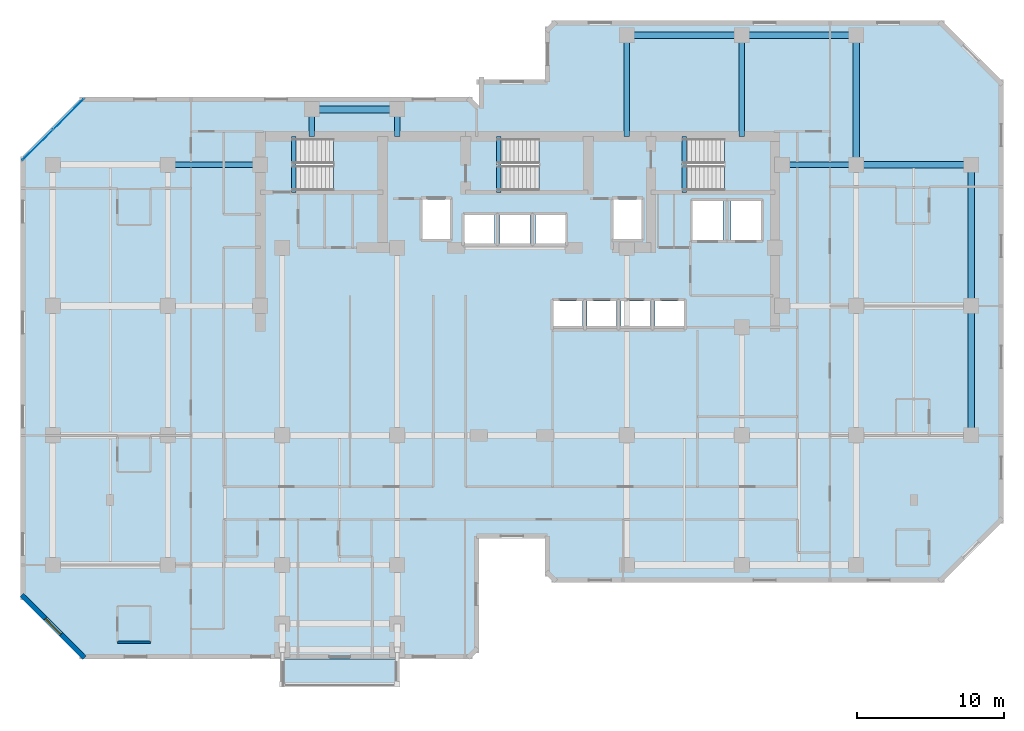
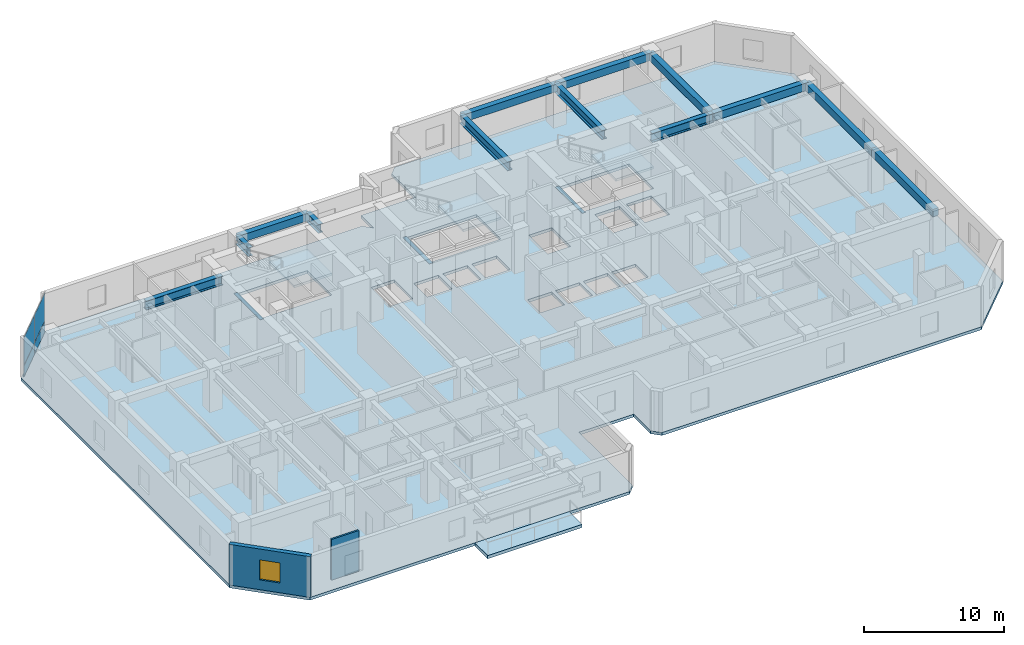
# One storey, part 4 of 11: 16 beams, 5 slabs, 4 plates, 2 walls, 1 window, 1 opening, 4 elements without a shape of their own.
"""IFC4 building model written with IfcOpenShell, lengths in metres."""

from ifc_helpers import new_model, si_unit, direction, frame, frame_2d, origin, origin_2d, place, context, subcontext, project, spatial, polyline, rectangle, i_section, outline, extrude, material, layer, layer_set, material_profile, profile_set, type_object, element, fill, aggregate, save


model = new_model("IFC4")

# Units and contexts
model_context = context("Model", 3, precision=1e-05, world=origin(), true_north=direction((0.0, 1.0)))
body_context = subcontext(model_context, "Body", "Model", "MODEL_VIEW")
ifc_project = project(units=[si_unit("LENGTHUNIT", "METRE"), si_unit("AREAUNIT", "SQUARE_METRE"), si_unit("VOLUMEUNIT", "CUBIC_METRE"), si_unit("PLANEANGLEUNIT", "RADIAN"), si_unit("MASSUNIT", "GRAM", prefix="KILO")], contexts=[model_context])

# Site, building, storey
site_placement = place(None, origin())
site = spatial("IfcSite", under=ifc_project, at=site_placement, CompositionType="ELEMENT")
building_placement = place(site_placement, origin())
building = spatial("IfcBuilding", under=site, at=building_placement, Name="Kestravale Grand Hotel", CompositionType="ELEMENT")
storey_placement = place(building_placement, frame((0.0, 0.0, 168.800048828125)))
storey = spatial("IfcBuildingStorey", under=building, at=storey_placement, Name="L42", CompositionType="ELEMENT", Elevation=168.800048828125)

# Beams
ifc_material_1 = material(Name="Concrete f'c 45 MPa", Category="concrete")
ifc_material_profile_1 = material_profile(ifc_material_1, rectangle(XDim=0.300048828125, YDim=0.39990234375, at=origin_2d()))
ifc_profile_set_1 = profile_set([ifc_material_profile_1], Name="Concrete f'c 45 MPa")
beam_type_1 = type_object("IfcBeamType", Name="B-FLR-LNT400", PredefinedType="LINTEL", material=ifc_profile_set_1)
for number, where, z_axis, x_axis, name in (
    (1, (24.159912109375, 36.52001953125, -0.199951171875), (0.0, 1.0, 0.0), (-1.0, 0.0, 0.0), "L42 ST1 flight bottom header beam"),
    (2, (38.110107421875, 36.52001953125, -0.199951171875), (0.0, 1.0, 0.0), (-1.0, 0.0, 0.0), "L42 ST2 flight bottom header beam"),
    (3, (50.7099609375, 36.52001953125, -0.199951171875), (0.0, 1.0, 0.0), (-1.0, 0.0, 0.0), "L42 ST3 flight bottom header beam"),
):
    element("IfcBeam", number, at=place(storey_placement, frame(where, z_axis=z_axis, x_axis=x_axis)), inside=storey, type_object=beam_type_1, Name=name, PredefinedType="LINTEL", context=body_context, shape_type="SweptSolid", body=[
        extrude(rectangle(XDim=0.300048828125, YDim=0.39990234375, at=origin_2d()), origin(), (0.0, 0.0, 1.0), 3.800048828125),
    ])
ifc_material_2 = material(Name="Concrete f'c 45 MPa", Category="concrete")
ifc_material_profile_2 = material_profile(ifc_material_2, rectangle(XDim=0.449951171875, YDim=0.64990234375, at=origin_2d()))
ifc_profile_set_2 = profile_set([ifc_material_profile_2], Name="Concrete f'c 45 MPa")
beam_type_2 = type_object("IfcBeamType", Name="B-FLR-RC650", PredefinedType="SPANDREL", material=ifc_profile_set_2)
for number, where, z_axis, x_axis, name in (
    (4, (62.39990234375, 38.39990234375, 3.224853515625), (1.0, 0.0, 0.0), (0.0, 1.0, 0.0), "L42 spandrel F:10-11"),
    (5, (46.800048828125, 47.199951171875, 3.224853515625), (1.0, 0.0, 0.0), (0.0, 1.0, 0.0), "L42 spandrel G:8-9"),
):
    element("IfcBeam", number, at=place(storey_placement, frame(where, z_axis=z_axis, x_axis=x_axis)), inside=storey, type_object=beam_type_2, Name=name, PredefinedType="SPANDREL", context=body_context, shape_type="SweptSolid", body=[
        extrude(rectangle(XDim=0.449951171875, YDim=0.64990234375, at=origin_2d()), origin(), (0.0, 0.0, 1.0), 7.800048828125),
    ])
beam_1_placement = place(storey_placement, frame((54.60009765625, 47.199951171875, 3.224853515625), z_axis=(1.0, 0.0, 0.0), x_axis=(0.0, 1.0, 0.0)))
element("IfcBeam", 6, at=beam_1_placement, inside=storey, type_object=beam_type_2, Name="L42 spandrel G:9-10", PredefinedType="SPANDREL", context=body_context, shape_type="SweptSolid", body=[
    extrude(rectangle(XDim=0.449951171875, YDim=0.64990234375, at=origin_2d()), origin(), (0.0, 0.0, 1.0), 7.7998046875),
])
beam_2_placement = place(storey_placement, frame((25.39990234375, 42.14990234375, 3.224853515625), z_axis=(1.0, 0.0, 0.0), x_axis=(0.0, 1.0, 0.0)))
element("IfcBeam", 7, at=beam_2_placement, inside=storey, type_object=beam_type_2, Name="L42 perimeter tie spandrel FN:4-5", PredefinedType="SPANDREL", context=body_context, shape_type="SweptSolid", body=[
    extrude(rectangle(XDim=0.449951171875, YDim=0.64990234375, at=origin_2d()), origin(), (0.0, 0.0, 1.0), 5.800048828125),
])
for number, where, z_axis, x_axis, name in (
    (8, (62.39990234375, 38.39990234375, 3.224853515625), (0.0, 1.0, 0.0), (-1.0, 0.0, 0.0), "L42 spandrel 10:F-G"),
    (9, (70.199951171875, 20.0, 3.224853515625), (0.0, 1.0, 0.0), (-1.0, 0.0, 0.0), "L42 spandrel 11:D-E"),
):
    element("IfcBeam", number, at=place(storey_placement, frame(where, z_axis=z_axis, x_axis=x_axis)), inside=storey, type_object=beam_type_2, Name=name, PredefinedType="SPANDREL", context=body_context, shape_type="SweptSolid", body=[
        extrude(rectangle(XDim=0.449951171875, YDim=0.64990234375, at=origin_2d()), origin(), (0.0, 0.0, 1.0), 8.800048828125),
    ])
beam_3_placement = place(storey_placement, frame((70.199951171875, 28.800048828125, 3.224853515625), z_axis=(0.0, 1.0, 0.0), x_axis=(-1.0, 0.0, 0.0)))
element("IfcBeam", 10, at=beam_3_placement, inside=storey, type_object=beam_type_2, Name="L42 spandrel 11:E-F", PredefinedType="SPANDREL", context=body_context, shape_type="SweptSolid", body=[
    extrude(rectangle(XDim=0.449951171875, YDim=0.64990234375, at=origin_2d()), origin(), (0.0, 0.0, 1.0), 9.599853515625),
])
ifc_material_3 = material(Name="Steel ASTM A992 Grade 50", Category="steel")
ifc_material_profile_3 = material_profile(ifc_material_3, i_section(OverallWidth=0.381103515625, OverallDepth=0.77197265625, WebThickness=0.0166015625, FlangeThickness=0.027099609375, FilletRadius=0.023681640625, at=origin_2d()))
ifc_profile_set_3 = profile_set([ifc_material_profile_3], Name="Steel ASTM A992 Grade 50")
beam_type_3 = type_object("IfcBeamType", Name="B-GRD-W30", PredefinedType="BEAM", material=ifc_profile_set_3)
beam_4_placement = place(storey_placement, frame((15.60009765625, 38.39990234375, 3.1640625), z_axis=(1.0, 0.0, 0.0), x_axis=(0.0, 1.0, 0.0)))
element("IfcBeam", 11, at=beam_4_placement, inside=storey, type_object=beam_type_3, Name="L42 girder F:3-CW", PredefinedType="BEAM", context=body_context, shape_type="SweptSolid", body=[
    extrude(i_section(OverallWidth=0.381103515625, OverallDepth=0.77197265625, WebThickness=0.0166015625, FlangeThickness=0.027099609375, FilletRadius=0.023681640625, at=origin_2d()), origin(), (0.0, 0.0, 1.0), 6.2998046875),
])
beam_5_placement = place(storey_placement, frame((57.35009765625, 38.39990234375, 3.1640625), z_axis=(1.0, 0.0, 0.0), x_axis=(0.0, 1.0, 0.0)))
element("IfcBeam", 12, at=beam_5_placement, inside=storey, type_object=beam_type_3, Name="L42 girder F:CE-10", PredefinedType="BEAM", context=body_context, shape_type="SweptSolid", body=[
    extrude(i_section(OverallWidth=0.381103515625, OverallDepth=0.77197265625, WebThickness=0.0166015625, FlangeThickness=0.027099609375, FilletRadius=0.023681640625, at=origin_2d()), origin(), (0.0, 0.0, 1.0), 5.0498046875),
])
for number, where, z_axis, x_axis, name in (
    (13, (25.39990234375, 40.320068359375, 3.1640625), (0.0, 1.0, 0.0), (-1.0, 0.0, 0.0), "L42 north wing tie girder 4:CN-FN"),
    (14, (31.199951171875, 40.320068359375, 3.1640625), (0.0, 1.0, 0.0), (-1.0, 0.0, 0.0), "L42 north wing tie girder 5:CN-FN"),
):
    element("IfcBeam", number, at=place(storey_placement, frame(where, z_axis=z_axis, x_axis=x_axis)), inside=storey, type_object=beam_type_3, Name=name, PredefinedType="BEAM", context=body_context, shape_type="SweptSolid", body=[
        extrude(i_section(OverallWidth=0.381103515625, OverallDepth=0.77197265625, WebThickness=0.0166015625, FlangeThickness=0.027099609375, FilletRadius=0.023681640625, at=origin_2d()), origin(), (0.0, 0.0, 1.0), 1.829833984375),
    ])
for number, where, z_axis, x_axis, name in (
    (15, (46.800048828125, 40.320068359375, 3.1640625), (0.0, 1.0, 0.0), (-1.0, 0.0, 0.0), "L42 north wing tie girder 8:CN-G"),
    (16, (54.60009765625, 40.320068359375, 3.1640625), (0.0, 1.0, 0.0), (-1.0, 0.0, 0.0), "L42 north wing tie girder 9:CN-G"),
):
    element("IfcBeam", number, at=place(storey_placement, frame(where, z_axis=z_axis, x_axis=x_axis)), inside=storey, type_object=beam_type_3, Name=name, PredefinedType="BEAM", context=body_context, shape_type="SweptSolid", body=[
        extrude(i_section(OverallWidth=0.381103515625, OverallDepth=0.77197265625, WebThickness=0.0166015625, FlangeThickness=0.027099609375, FilletRadius=0.023681640625, at=origin_2d()), origin(), (0.0, 0.0, 1.0), 6.8798828125),
    ])

# Curtain wall, plates
ifc_material_4 = material(Name="Thermally broken champagne-bronze aluminium and low-E glazing", Category="aluminium")
ifc_layer_1 = layer(ifc_material_4, 0.179931640625)
ifc_layer_set_1 = layer_set([ifc_layer_1], Name="CW-Z3")
curtain_wall_type = type_object("IfcCurtainWallType", Name="CW-Z3", PredefinedType="NOTDEFINED", material=ifc_layer_set_1)
curtain_wall_placement = place(storey_placement, origin())
curtain_wall = element("IfcCurtainWall", 17, at=curtain_wall_placement, inside=storey, type_object=curtain_wall_type, Name="L42 unitised curtain wall 18", PredefinedType="NOTDEFINED")
ifc_material_5 = material(Name="Insulated clear low-E double glazing IGU", Category="glass")
ifc_layer_2 = layer(ifc_material_5, 0.031982421875)
ifc_layer_set_2 = layer_set([ifc_layer_2], Name="CW-PNL-32")
plate_type = type_object("IfcPlateType", Name="CW-PNL-32", PredefinedType="CURTAIN_PANEL", material=ifc_layer_set_2)
plate_1_placement = place(storey_placement, frame((8.86572265625, 41.825439453125, 0.06494140625), z_axis=(0.0, 0.0, 1.0), x_axis=(-0.707106781187, -0.707106781187, 0.0)))
plate_1 = element("IfcPlate", 18, at=plate_1_placement, type_object=plate_type, Name="CW-Z3 panel 1.1", PredefinedType="CURTAIN_PANEL", context=body_context, shape_type="SweptSolid", body=[
    extrude(rectangle(XDim=2.892333984375, YDim=0.031982421875, at=origin_2d()), origin(), (0.0, 0.0, 1.0), 0.952392578125),
])
plate_2_placement = place(storey_placement, frame((8.86572265625, 41.825439453125, 1.08251953125), z_axis=(0.0, 0.0, 1.0), x_axis=(-0.707106781187, -0.707106781187, 0.0)))
plate_2 = element("IfcPlate", 19, at=plate_2_placement, type_object=plate_type, Name="CW-Z3 panel 1.2", PredefinedType="CURTAIN_PANEL", context=body_context, shape_type="SweptSolid", body=[
    extrude(rectangle(XDim=2.892333984375, YDim=0.031982421875, at=origin_2d()), origin(), (0.0, 0.0, 1.0), 2.402587890625),
])
plate_3_placement = place(storey_placement, frame((6.774658203125, 39.734130859375, 0.06494140625), z_axis=(0.0, 0.0, 1.0), x_axis=(-0.707106781187, -0.707106781187, 0.0)))
plate_3 = element("IfcPlate", 20, at=plate_3_placement, type_object=plate_type, Name="CW-Z3 panel 2.1", PredefinedType="CURTAIN_PANEL", context=body_context, shape_type="SweptSolid", body=[
    extrude(rectangle(XDim=2.892333984375, YDim=0.031982421875, at=origin_2d()), origin(), (0.0, 0.0, 1.0), 0.952392578125),
])
plate_4_placement = place(storey_placement, frame((6.774658203125, 39.734130859375, 1.08251953125), z_axis=(0.0, 0.0, 1.0), x_axis=(-0.707106781187, -0.707106781187, 0.0)))
plate_4 = element("IfcPlate", 21, at=plate_4_placement, type_object=plate_type, Name="CW-Z3 panel 2.2", PredefinedType="CURTAIN_PANEL", context=body_context, shape_type="SweptSolid", body=[
    extrude(rectangle(XDim=2.892333984375, YDim=0.031982421875, at=origin_2d()), origin(), (0.0, 0.0, 1.0), 2.402587890625),
])
aggregate(curtain_wall, [plate_1, plate_2, plate_3, plate_4])

# Slab
ifc_material_6 = material(Name="Concrete f'c 45 MPa", Category="concrete")
ifc_layer_3 = layer(ifc_material_6, 0.27001953125)
ifc_layer_set_3 = layer_set([ifc_layer_3], Name="ES-TERR-270")
slab_type_1 = type_object("IfcSlabType", Name="ES-TERR-270", PredefinedType="FLOOR", material=ifc_layer_set_3)
slab_1_placement = place(storey_placement, frame((0.0, 0.0, -0.27001953125)))
element("IfcSlab", 22, at=slab_1_placement, inside=storey, type_object=slab_type_1, Name="L42 spiralling planted garden terrace", PredefinedType="FLOOR", context=body_context, shape_type="SweptSolid", body=[
    extrude(outline(polyline([(23.39990234375, 2.949951171875), (31.199951171875, 2.949951171875), (31.199951171875, 4.800048828125), (23.39990234375, 4.800048828125), (23.39990234375, 2.949951171875)])), origin(), (0.0, 0.0, 1.0), 0.27001953125),
])

# Stair, slab
ifc_material_7 = material(Name="Concrete f'c 45 MPa", Category="concrete")
stair_type = type_object("IfcStairType", Name="ST-CORE-380", PredefinedType="HALF_TURN_STAIR", material=ifc_material_7)
stair_1_placement = place(storey_placement, origin())
stair_1 = element("IfcStair", 23, at=stair_1_placement, inside=storey, type_object=stair_type, Name="L42 ST-1", PredefinedType="HALF_TURN_STAIR")
ifc_material_8 = material(Name="Concrete f'c 45 MPa", Category="concrete")
ifc_layer_4 = layer(ifc_material_8, 0.199951171875)
ifc_layer_set_4 = layer_set([ifc_layer_4], Name="SLB-ST-LND200")
slab_type_2 = type_object("IfcSlabType", Name="SLB-ST-LND200", PredefinedType="LANDING", material=ifc_layer_set_4)
slab_2_placement = place(storey_placement, frame((0.0, 0.0, 1.699951171875)))
slab_2 = element("IfcSlab", 24, at=slab_2_placement, type_object=slab_type_2, Name="ST-1 landing 1", PredefinedType="LANDING", context=body_context, shape_type="SweptSolid", body=[
    extrude(outline(polyline([(26.8798828125, 36.64990234375), (30.0, 36.64990234375), (30.0, 40.159912109375), (26.8798828125, 40.159912109375), (26.8798828125, 36.64990234375)])), origin(), (0.0, 0.0, 1.0), 0.199951171875),
])
aggregate(stair_1, [slab_2])

stair_2_placement = place(storey_placement, origin())
stair_2 = element("IfcStair", 25, at=stair_2_placement, inside=storey, type_object=stair_type, Name="L42 ST-2", PredefinedType="HALF_TURN_STAIR")
slab_3_placement = place(storey_placement, frame((0.0, 0.0, 1.699951171875)))
slab_3 = element("IfcSlab", 26, at=slab_3_placement, type_object=slab_type_2, Name="ST-2 landing 1", PredefinedType="LANDING", context=body_context, shape_type="SweptSolid", body=[
    extrude(outline(polyline([(40.830078125, 36.64990234375), (43.949951171875, 36.64990234375), (43.949951171875, 40.159912109375), (40.830078125, 40.159912109375), (40.830078125, 36.64990234375)])), origin(), (0.0, 0.0, 1.0), 0.199951171875),
])
aggregate(stair_2, [slab_3])

stair_3_placement = place(storey_placement, origin())
stair_3 = element("IfcStair", 27, at=stair_3_placement, inside=storey, type_object=stair_type, Name="L42 ST-3", PredefinedType="HALF_TURN_STAIR")
slab_4_placement = place(storey_placement, frame((0.0, 0.0, 1.699951171875)))
slab_4 = element("IfcSlab", 28, at=slab_4_placement, type_object=slab_type_2, Name="ST-3 landing 1", PredefinedType="LANDING", context=body_context, shape_type="SweptSolid", body=[
    extrude(outline(polyline([(53.429931640625, 36.64990234375), (56.550048828125, 36.64990234375), (56.550048828125, 40.159912109375), (53.429931640625, 40.159912109375), (53.429931640625, 36.64990234375)])), origin(), (0.0, 0.0, 1.0), 0.199951171875),
])
aggregate(stair_3, [slab_4])

# Slab
ifc_material_9 = material(Name="Concrete f'c 45 MPa", Category="concrete")
ifc_layer_5 = layer(ifc_material_9, 0.25)
ifc_layer_set_5 = layer_set([ifc_layer_5], Name="SS-FLR-250")
slab_type_3 = type_object("IfcSlabType", Name="SS-FLR-250", PredefinedType="FLOOR", material=ifc_layer_set_5)
slab_5_placement = place(storey_placement, frame((0.0, 0.0, -0.25)))
element("IfcSlab", 29, at=slab_5_placement, inside=storey, type_object=slab_type_3, Name="L42 structural floor slab", PredefinedType="FLOOR", context=body_context, shape_type="SweptSolid", body=[
    extrude(outline(polyline([(9.800048828125, 4.800048828125), (36.14990234375, 4.800048828125), (36.75, 5.39990234375), (36.75, 13.0), (41.25, 13.0), (41.25, 10.60009765625), (41.85009765625, 10.0), (68.199951171875, 10.0), (72.39990234375, 14.199951171875), (72.39990234375, 44.0), (68.199951171875, 48.199951171875), (41.85009765625, 48.199951171875), (41.25, 47.60009765625), (41.25, 44.199951171875), (36.75, 44.199951171875), (36.75, 42.39990234375), (36.14990234375, 43.0), (9.800048828125, 43.0), (5.60009765625, 38.800048828125), (5.60009765625, 9.0), (9.800048828125, 4.800048828125)]), holes=[polyline([(24.080078125, 36.64990234375), (30.0, 36.64990234375), (30.0, 40.159912109375), (24.080078125, 40.159912109375), (24.080078125, 36.64990234375)]), polyline([(38.030029296875, 36.64990234375), (43.949951171875, 36.64990234375), (43.949951171875, 40.159912109375), (38.030029296875, 40.159912109375), (38.030029296875, 36.64990234375)]), polyline([(50.6298828125, 36.64990234375), (56.550048828125, 36.64990234375), (56.550048828125, 40.159912109375), (50.6298828125, 40.159912109375), (50.6298828125, 36.64990234375)]), polyline([(41.804931640625, 27.280029296875), (43.794921875, 27.280029296875), (43.794921875, 29.1201171875), (41.804931640625, 29.1201171875), (41.804931640625, 27.280029296875)]), polyline([(44.10498046875, 27.280029296875), (46.094970703125, 27.280029296875), (46.094970703125, 29.1201171875), (44.10498046875, 29.1201171875), (44.10498046875, 27.280029296875)]), polyline([(46.405029296875, 27.280029296875), (48.39501953125, 27.280029296875), (48.39501953125, 29.1201171875), (46.405029296875, 29.1201171875), (46.405029296875, 27.280029296875)]), polyline([(48.705078125, 27.280029296875), (50.695068359375, 27.280029296875), (50.695068359375, 29.1201171875), (48.705078125, 29.1201171875), (48.705078125, 27.280029296875)]), polyline([(35.780029296875, 33.030029296875), (37.820068359375, 33.030029296875), (37.820068359375, 34.969970703125), (35.780029296875, 34.969970703125), (35.780029296875, 33.030029296875)]), polyline([(38.179931640625, 33.030029296875), (40.219970703125, 33.030029296875), (40.219970703125, 34.969970703125), (38.179931640625, 34.969970703125), (38.179931640625, 33.030029296875)]), polyline([(40.580078125, 33.030029296875), (42.6201171875, 33.030029296875), (42.6201171875, 34.969970703125), (40.580078125, 34.969970703125), (40.580078125, 33.030029296875)]), polyline([(32.905029296875, 33.35498046875), (34.794921875, 33.35498046875), (34.794921875, 36.044921875), (32.905029296875, 36.044921875), (32.905029296875, 33.35498046875)]), polyline([(45.905029296875, 33.35498046875), (47.794921875, 33.35498046875), (47.794921875, 36.044921875), (45.905029296875, 36.044921875), (45.905029296875, 33.35498046875)]), polyline([(51.280029296875, 33.280029296875), (53.320068359375, 33.280029296875), (53.320068359375, 35.919921875), (51.280029296875, 35.919921875), (51.280029296875, 33.280029296875)]), polyline([(53.8798828125, 33.280029296875), (55.919921875, 33.280029296875), (55.919921875, 35.919921875), (53.8798828125, 35.919921875), (53.8798828125, 33.280029296875)])]), origin(), (0.0, 0.0, 1.0), 0.25),
])

# Wall, opening, window
ifc_material_10 = material(Name="Precast concrete f'c 45 MPa", Category="concrete")
ifc_layer_6 = layer(ifc_material_10, 0.340087890625)
ifc_layer_set_6 = layer_set([ifc_layer_6], Name="EW-PREC-340")
wall_type_1 = type_object("IfcWallType", Name="EW-PREC-340", PredefinedType="SOLIDWALL", material=ifc_layer_set_6)
wall_1_placement = place(storey_placement, frame((5.69189453125, 9.1484375, 0.0), z_axis=(0.0, 0.0, 1.0), x_axis=(0.707106781187, -0.707106781187, 0.0)))
wall_1 = element("IfcWall", 30, at=wall_1_placement, inside=storey, type_object=wall_type_1, Name="L42 fluted precast facade wall 20", PredefinedType="SOLIDWALL", context=body_context, shape_type="SweptSolid", body=[
    extrude(rectangle(XDim=6.019775390625, YDim=0.340087890625, at=frame_2d((3.009765625, 0.0))), origin(), (0.0, 0.0, 1.0), 3.550048828125),
])
opening_placement = place(wall_1_placement, frame((2.260009765625, 0.0, 0.85009765625)))
opening = element("IfcOpeningElement", 31, at=opening_placement, cuts=wall_1, Name="Opening W-GUEST-1500", PredefinedType="OPENING", context=body_context, shape_type="SweptSolid", body=[
    extrude(rectangle(XDim=1.5, YDim=1.75, at=frame_2d((0.75, 0.875))), frame((0.0, 0.179931640625, 0.0), z_axis=(0.0, -1.0, 0.0), x_axis=(1.0, 0.0, 0.0)), (0.0, 0.0, 1.0), 0.360107421875),
])
ifc_material_11 = material(Name="Insulated low-E double glazing in aluminium frame", Category="aluminium")
window_type = type_object("IfcWindowType", Name="W-GUEST-1500", PartitioningType="SINGLE_PANEL", PredefinedType="WINDOW", material=ifc_material_11)
window_placement = place(opening_placement, origin())
window = element("IfcWindow", 32, at=window_placement, inside=storey, type_object=window_type, Name="L42 exterior window 20.1", OverallHeight=1.75, OverallWidth=1.5, PartitioningType="SINGLE_PANEL", PredefinedType="WINDOW", context=body_context, shape_type="SweptSolid", body=[
    extrude(rectangle(XDim=1.5, YDim=1.75, at=frame_2d((0.75, 0.875))), frame((0.0, 0.030029296875, 0.0), z_axis=(0.0, -1.0, 0.0), x_axis=(1.0, 0.0, 0.0)), (0.0, 0.0, 1.0), 0.06005859375),
])
fill(opening, window)

# Wall
ifc_material_12 = material(Name="Moisture-resistant tile-backer plumbing chase wall", Category="other")
ifc_layer_7 = layer(ifc_material_12, 0.139892578125)
ifc_layer_set_7 = layer_set([ifc_layer_7], Name="IW-PLB-140")
wall_type_2 = type_object("IfcWallType", Name="IW-PLB-140", PredefinedType="PLUMBINGWALL", material=ifc_layer_set_7)
wall_2_placement = place(storey_placement, frame((12.199951171875, 5.949951171875, 0.0), z_axis=(0.0, 0.0, 1.0), x_axis=(1.0, 0.0, 0.0)))
element("IfcWall", 33, at=wall_2_placement, inside=storey, type_object=wall_type_2, Name="W-L42-U03-BS", PredefinedType="PLUMBINGWALL", context=body_context, shape_type="SweptSolid", body=[
    extrude(rectangle(XDim=2.25, YDim=0.139892578125, at=frame_2d((1.125, 0.0))), origin(), (0.0, 0.0, 1.0), 3.550048828125),
])

save(model, "model.ifc")
